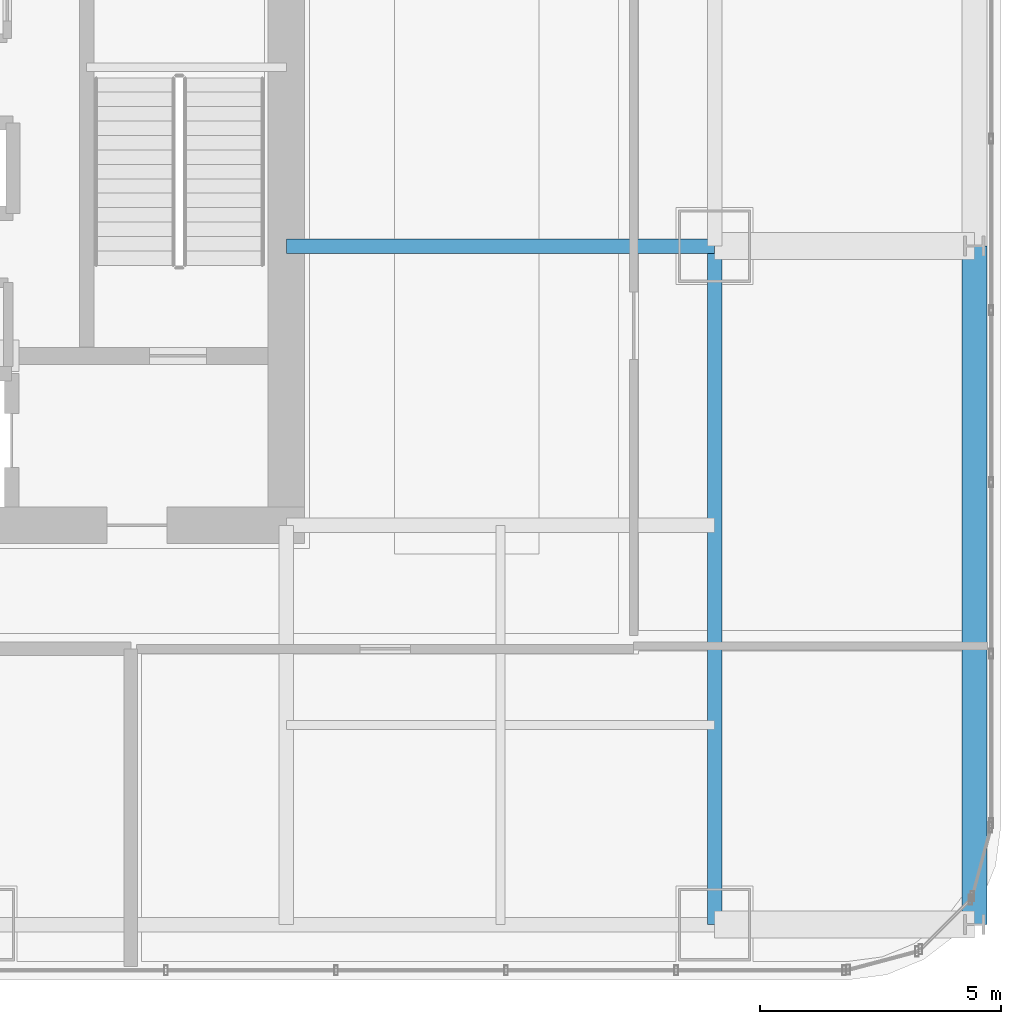
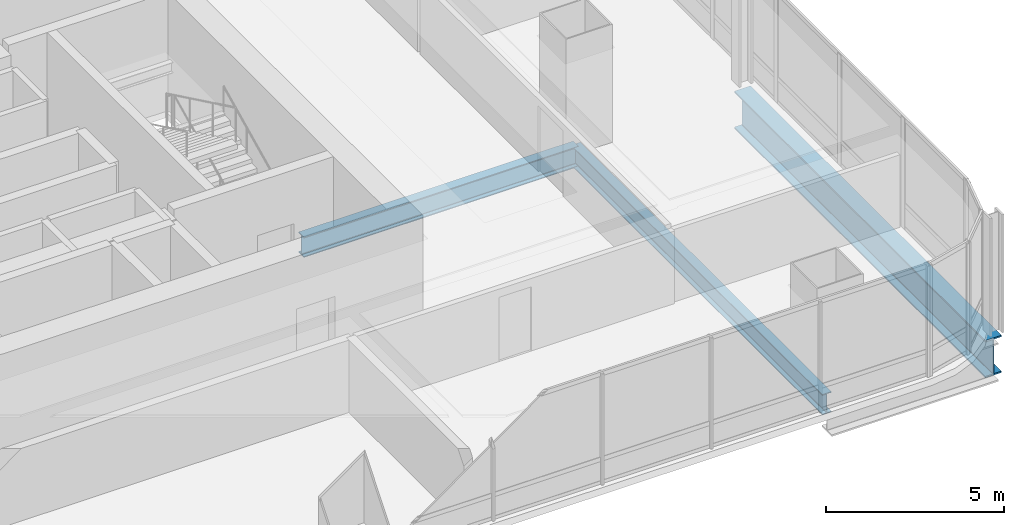
# One storey, part 14 of 34: 3 beams.
"""IFC4 building model written with IfcOpenShell, lengths in metres."""

from ifc_helpers import new_model, si_unit, direction, frame, origin, origin_2d, place, context, subcontext, project, spatial, i_section, extrude, material, material_profile, profile_set, type_object, element, save


model = new_model("IFC4")

# Units and contexts
model_context = context("Model", 3, precision=1e-05, world=origin(), true_north=direction((0.0, 1.0)))
body_context = subcontext(model_context, "Body", "Model", "MODEL_VIEW")
ifc_project = project(units=[si_unit("LENGTHUNIT", "METRE"), si_unit("AREAUNIT", "SQUARE_METRE"), si_unit("VOLUMEUNIT", "CUBIC_METRE"), si_unit("PLANEANGLEUNIT", "RADIAN"), si_unit("MASSUNIT", "GRAM", prefix="KILO")], contexts=[model_context])

# Site, building, storey
site_placement = place(None, origin())
site = spatial("IfcSite", under=ifc_project, at=site_placement, CompositionType="ELEMENT")
building_placement = place(site_placement, origin())
building = spatial("IfcBuilding", under=site, at=building_placement, Name="Punatoya Terracotta Tower", CompositionType="ELEMENT")
storey_placement = place(building_placement, frame((0.0, 0.0, 105.14990234375)))
storey = spatial("IfcBuildingStorey", under=building, at=storey_placement, Name="L24", CompositionType="ELEMENT", Elevation=105.14990234375)

# Beams
ifc_material_1 = material(Name="Steel S355", Category="steel")
ifc_material_profile_1 = material_profile(ifc_material_1, i_section(OverallWidth=0.300048828125, OverallDepth=0.699951171875, WebThickness=0.01708984375, FlangeThickness=0.031982421875, FilletRadius=0.01806640625, at=origin_2d()))
ifc_profile_set_1 = profile_set([ifc_material_profile_1], Name="Steel S355")
beam_type_1 = type_object("IfcBeamType", Name="BM-PRI-700", PredefinedType="BEAM", material=ifc_profile_set_1)
beam_1_placement = place(storey_placement, frame((19.10009765625, -17.5, -0.58984375), z_axis=(0.0, 1.0, 0.0), x_axis=(-1.0, 0.0, 0.0)))
element("IfcBeam", 1, at=beam_1_placement, inside=storey, type_object=beam_type_1, Name="BM-L24-RG-E1", PredefinedType="BEAM", context=body_context, shape_type="SweptSolid", body=[
    extrude(i_section(OverallWidth=0.300048828125, OverallDepth=0.699951171875, WebThickness=0.01708984375, FlangeThickness=0.031982421875, FilletRadius=0.01806640625, at=origin_2d()), origin(), (0.0, 0.0, 1.0), 14.10009765625),
])
beam_2_placement = place(storey_placement, frame((10.199951171875, -3.39990234375, -0.58984375), z_axis=(1.0, 0.0, 0.0), x_axis=(0.0, 1.0, 0.0)))
element("IfcBeam", 2, at=beam_2_placement, inside=storey, type_object=beam_type_1, Name="BM-L24-PR-ED", PredefinedType="BEAM", context=body_context, shape_type="SweptSolid", body=[
    extrude(i_section(OverallWidth=0.300048828125, OverallDepth=0.699951171875, WebThickness=0.01708984375, FlangeThickness=0.031982421875, FilletRadius=0.01806640625, at=origin_2d()), origin(), (0.0, 0.0, 1.0), 8.900146484375),
])
ifc_material_2 = material(Name="Steel S460", Category="steel")
ifc_material_profile_2 = material_profile(ifc_material_2, i_section(OverallWidth=0.52001953125, OverallDepth=1.280029296875, WebThickness=0.031982421875, FlangeThickness=0.050048828125, FilletRadius=0.01806640625, at=origin_2d()))
ifc_profile_set_2 = profile_set([ifc_material_profile_2], Name="Steel S460")
beam_type_2 = type_object("IfcBeamType", Name="BM-TG-NCK", PredefinedType="BEAM", material=ifc_profile_set_2)
beam_3_placement = place(storey_placement, frame((24.5, -17.5, -0.8798828125), z_axis=(0.0, 1.0, 0.0), x_axis=(-1.0, 0.0, 0.0)))
element("IfcBeam", 3, at=beam_3_placement, inside=storey, type_object=beam_type_2, Name="BM-L24-PER-E1", PredefinedType="BEAM", context=body_context, shape_type="SweptSolid", body=[
    extrude(i_section(OverallWidth=0.52001953125, OverallDepth=1.280029296875, WebThickness=0.031982421875, FlangeThickness=0.050048828125, FilletRadius=0.01806640625, at=origin_2d()), origin(), (0.0, 0.0, 1.0), 14.10009765625),
])

save(model, "model.ifc")
